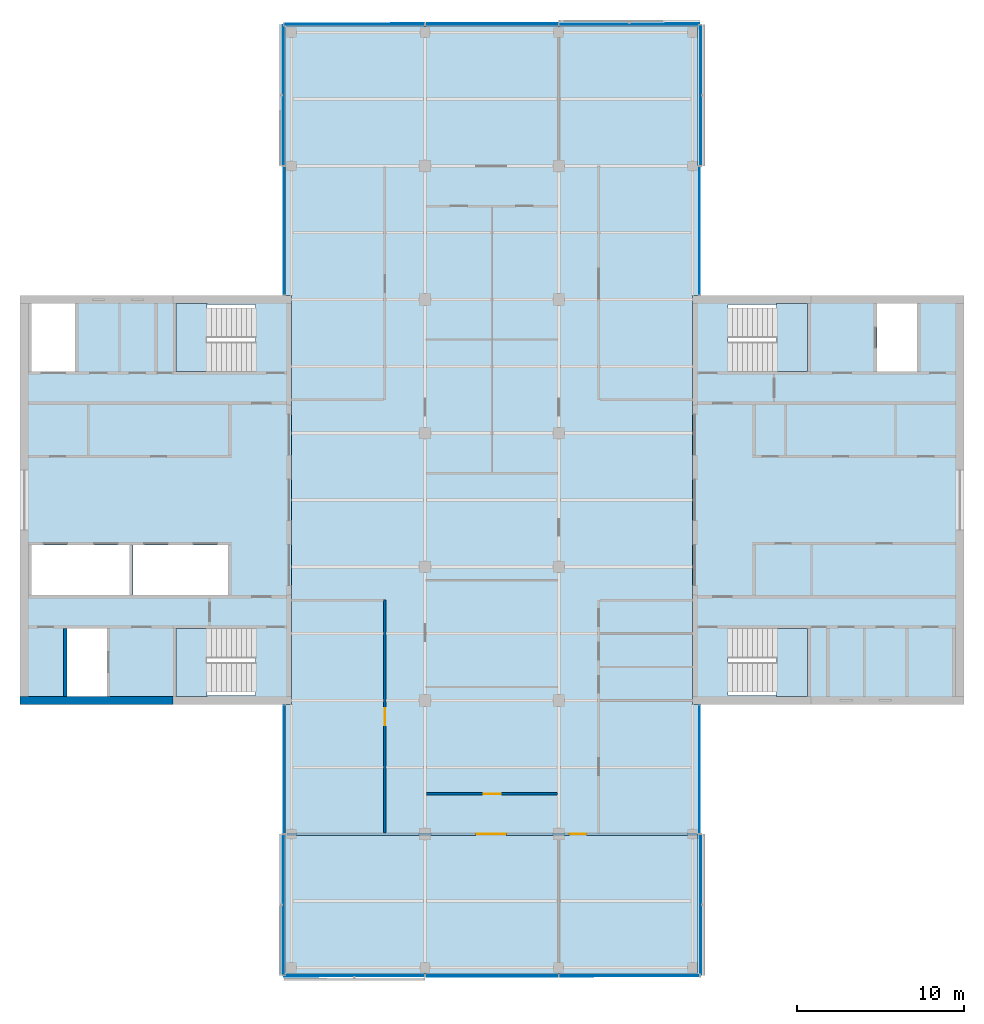
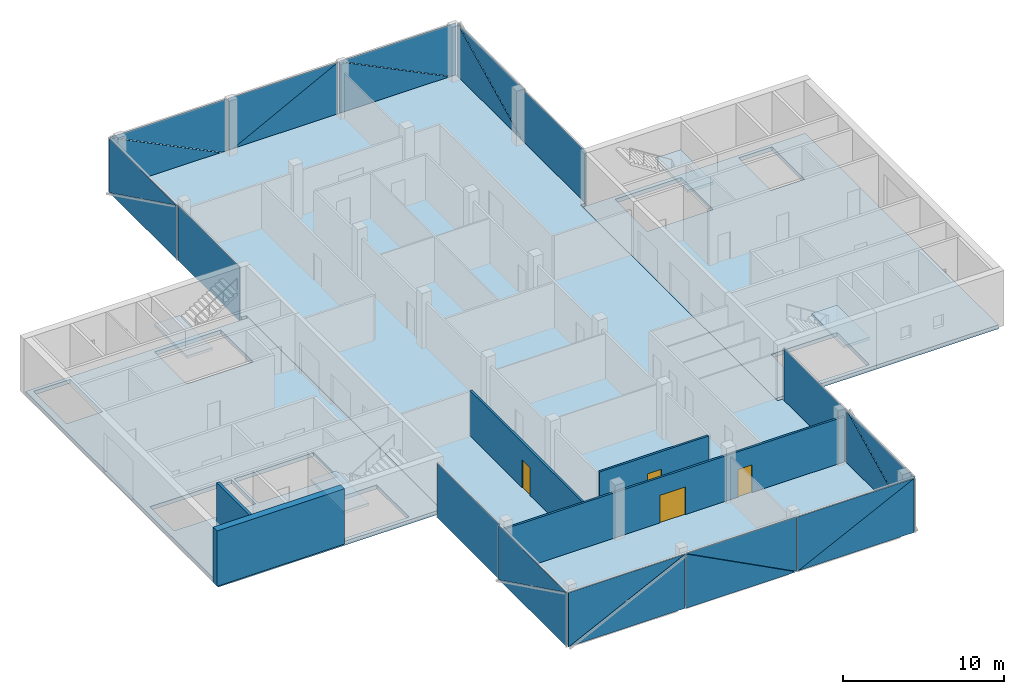
# One storey, part 8 of 15: 24 plates, 7 slabs, 5 walls, 4 doors, 4 openings, 14 elements without a shape of their own.
"""IFC4 building model written with IfcOpenShell, lengths in metres."""

from ifc_helpers import new_model, si_unit, direction, frame, frame_2d, origin, place, context, subcontext, project, spatial, polyline, rectangle, outline, extrude, material, layer, layer_set, constituent, constituent_set, type_object, element, fill, aggregate, save


model = new_model("IFC4")

# Units and contexts
model_context = context("Model", 3, precision=1e-05, world=origin(), true_north=direction((0.0, 1.0)))
body_context = subcontext(model_context, "Body", "Model", "MODEL_VIEW")
ifc_project = project(units=[si_unit("LENGTHUNIT", "METRE"), si_unit("AREAUNIT", "SQUARE_METRE"), si_unit("VOLUMEUNIT", "CUBIC_METRE"), si_unit("PLANEANGLEUNIT", "RADIAN"), si_unit("MASSUNIT", "GRAM", prefix="KILO")], contexts=[model_context])

# Site, building, storey
site_placement = place(None, origin())
site = spatial("IfcSite", under=ifc_project, at=site_placement, CompositionType="ELEMENT")
building_placement = place(site_placement, origin())
building = spatial("IfcBuilding", under=site, at=building_placement, Name="Crosswind Convention Tower", CompositionType="ELEMENT")
storey_placement = place(building_placement, frame((0.0, 0.0, 266.10009765625)))
storey = spatial("IfcBuildingStorey", under=building, at=storey_placement, Name="L57", CompositionType="ELEMENT", Elevation=266.10009765625)

# Slabs
ifc_material_1 = material(Name="Concrete C40/50", Category="concrete")
ifc_layer_1 = layer(ifc_material_1, 0.300048828125)
ifc_layer_set_1 = layer_set([ifc_layer_1], Name="Concrete C40/50")
slab_type_1 = type_object("IfcSlabType", Name="Composite floor slab 300", PredefinedType="FLOOR", material=ifc_layer_set_1)
slab_1_placement = place(storey_placement, frame((0.0, 0.0, -0.300048828125)))
element("IfcSlab", 1, at=slab_1_placement, inside=storey, type_object=slab_type_1, Name="Floor slab L57", PredefinedType="FLOOR", context=body_context, shape_type="SweptSolid", body=[
    extrude(outline(polyline([(137.35009765625, 71.64990234375), (137.0, 71.64990234375), (113.0, 71.64990234375), (112.64990234375, 71.64990234375), (112.64990234375, 72.0), (112.64990234375, 87.75), (113.0, 87.75), (113.0, 112.25), (112.64990234375, 112.25), (112.64990234375, 128.0), (112.64990234375, 128.35009765625), (113.0, 128.35009765625), (137.0, 128.35009765625), (137.35009765625, 128.35009765625), (137.35009765625, 128.0), (137.35009765625, 112.25), (137.0, 112.25), (137.0, 87.75), (137.35009765625, 87.75), (137.35009765625, 72.0), (137.35009765625, 71.64990234375)])), origin(), (0.0, 0.0, 1.0), 0.300048828125),
])
ifc_layer_2 = layer(ifc_material_1, 0.300048828125)
ifc_layer_set_2 = layer_set([ifc_layer_2], Name="Concrete C40/50")
slab_type_2 = type_object("IfcSlabType", Name="Concrete core floor slab 300", PredefinedType="FLOOR", material=ifc_layer_set_2)
slab_2_placement = place(storey_placement, frame((0.0, 0.0, -0.300048828125)))
element("IfcSlab", 2, at=slab_2_placement, inside=storey, type_object=slab_type_2, Name="Core floor slab E L57", PredefinedType="FLOOR", context=body_context, shape_type="SweptSolid", body=[
    extrude(outline(polyline([(137.0, 88.0), (153.0, 88.0), (153.0, 112.0), (137.0, 112.0), (137.0, 88.0)]), holes=[polyline([(150.449951171875, 107.699951171875), (150.449951171875, 111.75), (148.050048828125, 111.75), (148.050048828125, 107.699951171875), (150.449951171875, 107.699951171875)]), polyline([(143.89990234375, 107.699951171875), (143.89990234375, 111.699951171875), (139.14990234375, 111.699951171875), (139.14990234375, 107.699951171875), (143.89990234375, 107.699951171875)]), polyline([(143.89990234375, 88.300048828125), (143.89990234375, 92.300048828125), (139.14990234375, 92.300048828125), (139.14990234375, 88.300048828125), (143.89990234375, 88.300048828125)])]), origin(), (0.0, 0.0, 1.0), 0.300048828125),
])
slab_3_placement = place(storey_placement, frame((0.0, 0.0, -0.300048828125)))
element("IfcSlab", 3, at=slab_3_placement, inside=storey, type_object=slab_type_2, Name="Core floor slab W L57", PredefinedType="FLOOR", context=body_context, shape_type="SweptSolid", body=[
    extrude(outline(polyline([(97.0, 88.0), (113.0, 88.0), (113.0, 112.0), (97.0, 112.0), (97.0, 88.0)]), holes=[polyline([(109.199951171875, 94.300048828125), (109.199951171875, 97.300048828125), (103.5, 97.300048828125), (103.5, 94.300048828125), (109.199951171875, 94.300048828125)]), polyline([(103.300048828125, 94.300048828125), (103.300048828125, 97.300048828125), (97.449951171875, 97.300048828125), (97.449951171875, 94.300048828125), (103.300048828125, 94.300048828125)]), polyline([(101.949951171875, 88.25), (101.949951171875, 92.300048828125), (99.550048828125, 92.300048828125), (99.550048828125, 88.25), (101.949951171875, 88.25)]), polyline([(100.050048828125, 107.699951171875), (100.050048828125, 111.75), (97.449951171875, 111.75), (97.449951171875, 107.699951171875), (100.050048828125, 107.699951171875)]), polyline([(110.85009765625, 88.300048828125), (110.85009765625, 92.300048828125), (106.10009765625, 92.300048828125), (106.10009765625, 88.300048828125), (110.85009765625, 88.300048828125)]), polyline([(110.85009765625, 107.699951171875), (110.85009765625, 111.699951171875), (106.10009765625, 111.699951171875), (106.10009765625, 107.699951171875), (110.85009765625, 107.699951171875)])]), origin(), (0.0, 0.0, 1.0), 0.300048828125),
])

# Stair, slab
stair_type = type_object("IfcStairType", Name="Exit stair 1800 wide, 2 flights of 11 risers", PredefinedType="HALF_TURN_STAIR", material=ifc_material_1)
stair_1_placement = place(storey_placement, origin())
stair_1 = element("IfcStair", 4, at=stair_1_placement, inside=storey, type_object=stair_type, Name="Exit stair ST1 L57", ObjectType="ST5", PredefinedType="HALF_TURN_STAIR")
ifc_layer_3 = layer(ifc_material_1, 0.199951171875)
ifc_layer_set_3 = layer_set([ifc_layer_3], Name="Concrete C40/50")
slab_type_3 = type_object("IfcSlabType", Name="Stair landing 200", PredefinedType="LANDING", material=ifc_layer_set_3)
slab_4_placement = place(storey_placement, frame((0.0, 0.0, 1.89990234375)))
slab_4 = element("IfcSlab", 5, at=slab_4_placement, type_object=slab_type_3, Name="ST1 landing 1", PredefinedType="LANDING", context=body_context, shape_type="SweptSolid", body=[
    extrude(outline(polyline([(143.89990234375, 107.699951171875), (143.89990234375, 111.75), (142.050048828125, 111.75), (142.050048828125, 107.699951171875), (143.89990234375, 107.699951171875)])), origin(), (0.0, 0.0, 1.0), 0.199951171875),
])
aggregate(stair_1, [slab_4])

stair_2_placement = place(storey_placement, origin())
stair_2 = element("IfcStair", 6, at=stair_2_placement, inside=storey, type_object=stair_type, Name="Exit stair ST2 L57", ObjectType="ST5", PredefinedType="HALF_TURN_STAIR")
slab_5_placement = place(storey_placement, frame((0.0, 0.0, 1.89990234375)))
slab_5 = element("IfcSlab", 7, at=slab_5_placement, type_object=slab_type_3, Name="ST2 landing 1", PredefinedType="LANDING", context=body_context, shape_type="SweptSolid", body=[
    extrude(outline(polyline([(143.89990234375, 88.25), (143.89990234375, 92.300048828125), (142.050048828125, 92.300048828125), (142.050048828125, 88.25), (143.89990234375, 88.25)])), origin(), (0.0, 0.0, 1.0), 0.199951171875),
])
aggregate(stair_2, [slab_5])

stair_3_placement = place(storey_placement, origin())
stair_3 = element("IfcStair", 8, at=stair_3_placement, inside=storey, type_object=stair_type, Name="Exit stair ST3 L57", ObjectType="ST5", PredefinedType="HALF_TURN_STAIR")
slab_6_placement = place(storey_placement, frame((0.0, 0.0, 1.89990234375)))
slab_6 = element("IfcSlab", 9, at=slab_6_placement, type_object=slab_type_3, Name="ST3 landing 1", PredefinedType="LANDING", context=body_context, shape_type="SweptSolid", body=[
    extrude(outline(polyline([(107.949951171875, 88.25), (107.949951171875, 92.300048828125), (106.10009765625, 92.300048828125), (106.10009765625, 88.25), (107.949951171875, 88.25)])), origin(), (0.0, 0.0, 1.0), 0.199951171875),
])
aggregate(stair_3, [slab_6])

stair_4_placement = place(storey_placement, origin())
stair_4 = element("IfcStair", 10, at=stair_4_placement, inside=storey, type_object=stair_type, Name="Exit stair ST4 L57", ObjectType="ST5", PredefinedType="HALF_TURN_STAIR")
slab_7_placement = place(storey_placement, frame((0.0, 0.0, 1.89990234375)))
slab_7 = element("IfcSlab", 11, at=slab_7_placement, type_object=slab_type_3, Name="ST4 landing 1", PredefinedType="LANDING", context=body_context, shape_type="SweptSolid", body=[
    extrude(outline(polyline([(107.949951171875, 107.699951171875), (107.949951171875, 111.75), (106.10009765625, 111.75), (106.10009765625, 107.699951171875), (107.949951171875, 107.699951171875)])), origin(), (0.0, 0.0, 1.0), 0.199951171875),
])
aggregate(stair_4, [slab_7])

# Curtain wall, plate
ifc_material_2 = material(Name="Aluminium unitised curtain wall", Category="aluminium")
curtain_wall_type_1 = type_object("IfcCurtainWallType", Name="CORE END SLOT WALL 160", PredefinedType="USERDEFINED", material=ifc_material_2)
curtain_wall_1_placement = place(storey_placement, origin())
curtain_wall_1 = element("IfcCurtainWall", 12, at=curtain_wall_1_placement, inside=storey, type_object=curtain_wall_type_1, Name="CW6 L57 N-E.1-1 slot", ObjectType="UNITISED", PredefinedType="USERDEFINED")
ifc_material_3 = material(Name="Laminated insulating glass unit", Category="glass")
ifc_layer_4 = layer(ifc_material_3, 0.02587890625)
ifc_layer_set_4 = layer_set([ifc_layer_4], Name="TRIANGULAR GLASS PANEL 26")
plate_type_1 = type_object("IfcPlateType", Name="TRIANGULAR GLASS PANEL 26", PredefinedType="CURTAIN_PANEL", material=ifc_layer_set_4)
plate_1_placement = place(storey_placement, frame((137.456787109375, 112.300048828125, -0.300048828125), z_axis=(0.999999915205, 0.0, 0.00041181312), x_axis=(0.0, 1.0, 0.0)))
plate_1 = element("IfcPlate", 13, at=plate_1_placement, type_object=plate_type_1, Name="CW6 panel 1.1", PredefinedType="CURTAIN_PANEL", context=body_context, shape_type="SweptSolid", body=[
    extrude(outline(polyline([(0.0, 0.0), (7.64990234375, 0.0), (7.64990234375, 4.149902695641108), (0.0, 4.149902695641108), (0.0, 0.0)])), origin(), (0.0, 0.0, -1.0), 0.02587890625),
])
aggregate(curtain_wall_1, [plate_1])

curtain_wall_2_placement = place(storey_placement, origin())
curtain_wall_2 = element("IfcCurtainWall", 14, at=curtain_wall_2_placement, inside=storey, type_object=curtain_wall_type_1, Name="CW6 L57 N-W.1-2 slot", ObjectType="UNITISED", PredefinedType="USERDEFINED")
plate_2_placement = place(storey_placement, frame((112.543212890625, 119.949951171875, -0.300048828125), z_axis=(-0.999999915205, 0.0, 0.00041181312), x_axis=(0.0, -1.0, 0.0)))
plate_2 = element("IfcPlate", 15, at=plate_2_placement, type_object=plate_type_1, Name="CW6 panel 1.1", PredefinedType="CURTAIN_PANEL", context=body_context, shape_type="SweptSolid", body=[
    extrude(outline(polyline([(0.0, 0.0), (7.64990234375, 0.0), (7.64990234375, 4.149902695641108), (0.0, 4.149902695641108), (0.0, 0.0)])), origin(), (0.0, 0.0, -1.0), 0.02587890625),
])
aggregate(curtain_wall_2, [plate_2])

curtain_wall_3_placement = place(storey_placement, origin())
curtain_wall_3 = element("IfcCurtainWall", 16, at=curtain_wall_3_placement, inside=storey, type_object=curtain_wall_type_1, Name="CW6 L57 S-W.1-1 slot", ObjectType="UNITISED", PredefinedType="USERDEFINED")
plate_3_placement = place(storey_placement, frame((112.543212890625, 87.699951171875, -0.300048828125), z_axis=(-0.999999915205, 0.0, 0.00041181312), x_axis=(0.0, -1.0, 0.0)))
plate_3 = element("IfcPlate", 17, at=plate_3_placement, type_object=plate_type_1, Name="CW6 panel 1.1", PredefinedType="CURTAIN_PANEL", context=body_context, shape_type="SweptSolid", body=[
    extrude(outline(polyline([(0.0, 0.0), (7.64990234375, 0.0), (7.64990234375, 4.149902695641108), (0.0, 4.149902695641108), (0.0, 0.0)])), origin(), (0.0, 0.0, -1.0), 0.02587890625),
])
aggregate(curtain_wall_3, [plate_3])

curtain_wall_4_placement = place(storey_placement, origin())
curtain_wall_4 = element("IfcCurtainWall", 18, at=curtain_wall_4_placement, inside=storey, type_object=curtain_wall_type_1, Name="CW6 L57 S-E.1-2 slot", ObjectType="UNITISED", PredefinedType="USERDEFINED")
plate_4_placement = place(storey_placement, frame((137.456787109375, 80.050048828125, -0.300048828125), z_axis=(0.999999915205, 0.0, 0.00041181312), x_axis=(0.0, 1.0, 0.0)))
plate_4 = element("IfcPlate", 19, at=plate_4_placement, type_object=plate_type_1, Name="CW6 panel 1.1", PredefinedType="CURTAIN_PANEL", context=body_context, shape_type="SweptSolid", body=[
    extrude(outline(polyline([(0.0, 0.0), (7.64990234375, 0.0), (7.64990234375, 4.149902695641108), (0.0, 4.149902695641108), (0.0, 0.0)])), origin(), (0.0, 0.0, -1.0), 0.02587890625),
])
aggregate(curtain_wall_4, [plate_4])

# Curtain wall, plates
curtain_wall_type_2 = type_object("IfcCurtainWallType", Name="OFFICE UNITISED WALL 220", PredefinedType="USERDEFINED", material=ifc_material_2)
curtain_wall_5_placement = place(storey_placement, origin())
curtain_wall_5 = element("IfcCurtainWall", 20, at=curtain_wall_5_placement, inside=storey, type_object=curtain_wall_type_2, Name="CW3 L57 N-E 1", ObjectType="UNITISED", PredefinedType="USERDEFINED")
ifc_layer_5 = layer(ifc_material_3, 0.031982421875)
ifc_layer_set_5 = layer_set([ifc_layer_5], Name="TRIANGULAR GLASS PANEL 32")
plate_type_2 = type_object("IfcPlateType", Name="TRIANGULAR GLASS PANEL 32", PredefinedType="CURTAIN_PANEL", material=ifc_layer_set_5)
plate_5_placement = place(storey_placement, frame((137.492919921875, 128.425048828125, -0.300048828125), z_axis=(0.999999913924, 0.0, 0.000414913129), x_axis=(-0.000414913129, 0.0, 0.999999913924)))
plate_5 = element("IfcPlate", 21, at=plate_5_placement, type_object=plate_type_2, Name="CW3 panel 1.1", PredefinedType="CURTAIN_PANEL", context=body_context, shape_type="SweptSolid", body=[
    extrude(outline(polyline([(0.0, 0.0), (4.118896838915043, 0.0), (0.0, 8.367431640625), (0.0, 0.0)])), origin(), (0.0, 0.0, -1.0), 0.031982421875),
])
plate_6_placement = place(storey_placement, frame((137.525146484375, 120.034912109375, 3.829833984375), z_axis=(0.999999913924, 0.0, 0.000414913129), x_axis=(0.000414913129, 0.0, -0.999999913924)))
plate_6 = element("IfcPlate", 22, at=plate_6_placement, type_object=plate_type_2, Name="CW3 panel 1.2", PredefinedType="CURTAIN_PANEL", context=body_context, shape_type="SweptSolid", body=[
    extrude(outline(polyline([(0.0, 0.0), (4.118896838915043, 0.0), (0.0, 8.367431640625), (0.0, 0.0)])), origin(), (0.0, 0.0, -1.0), 0.031982421875),
])
aggregate(curtain_wall_5, [plate_5, plate_6])

curtain_wall_6_placement = place(storey_placement, origin())
curtain_wall_6 = element("IfcCurtainWall", 23, at=curtain_wall_6_placement, inside=storey, type_object=curtain_wall_type_2, Name="CW3 L57 N-TIP 1", ObjectType="UNITISED", PredefinedType="USERDEFINED")
plate_7_placement = place(storey_placement, frame((129.034912109375, 128.492919921875, -0.300048828125), z_axis=(0.0, 0.999999913924, 0.000414913129), x_axis=(0.0, -0.000414913129, 0.999999913924)))
plate_7 = element("IfcPlate", 24, at=plate_7_placement, type_object=plate_type_2, Name="CW3 panel 1.1", PredefinedType="CURTAIN_PANEL", context=body_context, shape_type="SweptSolid", body=[
    extrude(outline(polyline([(0.0, 0.0), (4.118896838915043, 0.0), (0.0, 8.367431640625), (0.0, 0.0)])), origin(), (0.0, 0.0, -1.0), 0.031982421875),
])
plate_8_placement = place(storey_placement, frame((137.425048828125, 128.525146484375, 3.829833984375), z_axis=(0.0, 0.999999913924, 0.000414913129), x_axis=(0.0, 0.000414913129, -0.999999913924)))
plate_8 = element("IfcPlate", 25, at=plate_8_placement, type_object=plate_type_2, Name="CW3 panel 1.2", PredefinedType="CURTAIN_PANEL", context=body_context, shape_type="SweptSolid", body=[
    extrude(outline(polyline([(0.0, 0.0), (4.118896838915043, 0.0), (0.0, 8.367431640625), (0.0, 0.0)])), origin(), (0.0, 0.0, -1.0), 0.031982421875),
])
plate_9_placement = place(storey_placement, frame((121.034912109375, 128.4912109375, 3.829833984375), z_axis=(0.0, 0.999999913913, 0.000414937724), x_axis=(1.0, 0.0, 0.0)))
plate_9 = element("IfcPlate", 26, at=plate_9_placement, type_object=plate_type_2, Name="CW3 panel 2.1", PredefinedType="CURTAIN_PANEL", context=body_context, shape_type="SweptSolid", body=[
    extrude(outline(polyline([(0.0, 0.0), (7.908447265625, 0.0), (0.0, 4.118652698311059), (0.0, 0.0)])), origin(), (0.0, 0.0, -1.0), 0.031982421875),
])
plate_10_placement = place(storey_placement, frame((128.965087890625, 128.52685546875, -0.300048828125), z_axis=(0.0, 0.999999913913, 0.000414937724), x_axis=(-1.0, 0.0, 0.0)))
plate_10 = element("IfcPlate", 27, at=plate_10_placement, type_object=plate_type_2, Name="CW3 panel 2.2", PredefinedType="CURTAIN_PANEL", context=body_context, shape_type="SweptSolid", body=[
    extrude(outline(polyline([(0.0, 0.0), (7.908447265625, 0.0), (0.0, 4.118652698311059), (0.0, 0.0)])), origin(), (0.0, 0.0, -1.0), 0.031982421875),
])
plate_11_placement = place(storey_placement, frame((112.574951171875, 128.492919921875, -0.300048828125), z_axis=(0.0, 0.999999913924, 0.000414913129), x_axis=(0.0, -0.000414913129, 0.999999913924)))
plate_11 = element("IfcPlate", 28, at=plate_11_placement, type_object=plate_type_2, Name="CW3 panel 3.1", PredefinedType="CURTAIN_PANEL", context=body_context, shape_type="SweptSolid", body=[
    extrude(outline(polyline([(0.0, 0.0), (4.118896838915043, 0.0), (0.0, 8.367431640625), (0.0, 0.0)])), origin(), (0.0, 0.0, -1.0), 0.031982421875),
])
plate_12_placement = place(storey_placement, frame((120.965087890625, 128.525146484375, 3.829833984375), z_axis=(0.0, 0.999999913924, 0.000414913129), x_axis=(0.0, 0.000414913129, -0.999999913924)))
plate_12 = element("IfcPlate", 29, at=plate_12_placement, type_object=plate_type_2, Name="CW3 panel 3.2", PredefinedType="CURTAIN_PANEL", context=body_context, shape_type="SweptSolid", body=[
    extrude(outline(polyline([(0.0, 0.0), (4.118896838915043, 0.0), (0.0, 8.367431640625), (0.0, 0.0)])), origin(), (0.0, 0.0, -1.0), 0.031982421875),
])
aggregate(curtain_wall_6, [plate_7, plate_8, plate_9, plate_10, plate_11, plate_12])

curtain_wall_7_placement = place(storey_placement, origin())
curtain_wall_7 = element("IfcCurtainWall", 30, at=curtain_wall_7_placement, inside=storey, type_object=curtain_wall_type_2, Name="CW3 L57 N-W 1", ObjectType="UNITISED", PredefinedType="USERDEFINED")
plate_13_placement = place(storey_placement, frame((112.507080078125, 120.034912109375, -0.300048828125), z_axis=(-0.999999913924, 0.0, 0.000414913129), x_axis=(0.000414913129, 0.0, 0.999999913924)))
plate_13 = element("IfcPlate", 31, at=plate_13_placement, type_object=plate_type_2, Name="CW3 panel 1.1", PredefinedType="CURTAIN_PANEL", context=body_context, shape_type="SweptSolid", body=[
    extrude(outline(polyline([(0.0, 0.0), (4.118896838915043, 0.0), (0.0, 8.367431640625), (0.0, 0.0)])), origin(), (0.0, 0.0, -1.0), 0.031982421875),
])
plate_14_placement = place(storey_placement, frame((112.474853515625, 128.425048828125, 3.829833984375), z_axis=(-0.999999913924, 0.0, 0.000414913129), x_axis=(-0.000414913129, 0.0, -0.999999913924)))
plate_14 = element("IfcPlate", 32, at=plate_14_placement, type_object=plate_type_2, Name="CW3 panel 1.2", PredefinedType="CURTAIN_PANEL", context=body_context, shape_type="SweptSolid", body=[
    extrude(outline(polyline([(0.0, 0.0), (4.118896838915043, 0.0), (0.0, 8.367431640625), (0.0, 0.0)])), origin(), (0.0, 0.0, -1.0), 0.031982421875),
])
aggregate(curtain_wall_7, [plate_13, plate_14])

curtain_wall_8_placement = place(storey_placement, origin())
curtain_wall_8 = element("IfcCurtainWall", 33, at=curtain_wall_8_placement, inside=storey, type_object=curtain_wall_type_2, Name="CW3 L57 S-W 1", ObjectType="UNITISED", PredefinedType="USERDEFINED")
plate_15_placement = place(storey_placement, frame((112.507080078125, 71.574951171875, -0.300048828125), z_axis=(-0.999999913924, 0.0, 0.000414913129), x_axis=(0.000414913129, 0.0, 0.999999913924)))
plate_15 = element("IfcPlate", 34, at=plate_15_placement, type_object=plate_type_2, Name="CW3 panel 1.1", PredefinedType="CURTAIN_PANEL", context=body_context, shape_type="SweptSolid", body=[
    extrude(outline(polyline([(0.0, 0.0), (4.118896838915043, 0.0), (0.0, 8.367431640625), (0.0, 0.0)])), origin(), (0.0, 0.0, -1.0), 0.031982421875),
])
plate_16_placement = place(storey_placement, frame((112.474853515625, 79.965087890625, 3.829833984375), z_axis=(-0.999999913924, 0.0, 0.000414913129), x_axis=(-0.000414913129, 0.0, -0.999999913924)))
plate_16 = element("IfcPlate", 35, at=plate_16_placement, type_object=plate_type_2, Name="CW3 panel 1.2", PredefinedType="CURTAIN_PANEL", context=body_context, shape_type="SweptSolid", body=[
    extrude(outline(polyline([(0.0, 0.0), (4.118896838915043, 0.0), (0.0, 8.367431640625), (0.0, 0.0)])), origin(), (0.0, 0.0, -1.0), 0.031982421875),
])
aggregate(curtain_wall_8, [plate_15, plate_16])

curtain_wall_9_placement = place(storey_placement, origin())
curtain_wall_9 = element("IfcCurtainWall", 36, at=curtain_wall_9_placement, inside=storey, type_object=curtain_wall_type_2, Name="CW3 L57 S-TIP 1", ObjectType="UNITISED", PredefinedType="USERDEFINED")
plate_17_placement = place(storey_placement, frame((120.965087890625, 71.507080078125, -0.300048828125), z_axis=(0.0, -0.999999913924, 0.000414913129), x_axis=(0.0, 0.000414913129, 0.999999913924)))
plate_17 = element("IfcPlate", 37, at=plate_17_placement, type_object=plate_type_2, Name="CW3 panel 1.1", PredefinedType="CURTAIN_PANEL", context=body_context, shape_type="SweptSolid", body=[
    extrude(outline(polyline([(0.0, 0.0), (4.118896838915043, 0.0), (0.0, 8.367431640625), (0.0, 0.0)])), origin(), (0.0, 0.0, -1.0), 0.031982421875),
])
plate_18_placement = place(storey_placement, frame((112.574951171875, 71.474853515625, 3.829833984375), z_axis=(0.0, -0.999999913924, 0.000414913129), x_axis=(0.0, -0.000414913129, -0.999999913924)))
plate_18 = element("IfcPlate", 38, at=plate_18_placement, type_object=plate_type_2, Name="CW3 panel 1.2", PredefinedType="CURTAIN_PANEL", context=body_context, shape_type="SweptSolid", body=[
    extrude(outline(polyline([(0.0, 0.0), (4.118896838915043, 0.0), (0.0, 8.367431640625), (0.0, 0.0)])), origin(), (0.0, 0.0, -1.0), 0.031982421875),
])
plate_19_placement = place(storey_placement, frame((128.965087890625, 71.5087890625, 3.829833984375), z_axis=(0.0, -0.999999913913, 0.000414937724), x_axis=(-1.0, 0.0, 0.0)))
plate_19 = element("IfcPlate", 39, at=plate_19_placement, type_object=plate_type_2, Name="CW3 panel 2.1", PredefinedType="CURTAIN_PANEL", context=body_context, shape_type="SweptSolid", body=[
    extrude(outline(polyline([(0.0, 0.0), (7.908447265625, 0.0), (0.0, 4.118652698311059), (0.0, 0.0)])), origin(), (0.0, 0.0, -1.0), 0.031982421875),
])
plate_20_placement = place(storey_placement, frame((121.034912109375, 71.47314453125, -0.300048828125), z_axis=(0.0, -0.999999913913, 0.000414937724), x_axis=(1.0, 0.0, 0.0)))
plate_20 = element("IfcPlate", 40, at=plate_20_placement, type_object=plate_type_2, Name="CW3 panel 2.2", PredefinedType="CURTAIN_PANEL", context=body_context, shape_type="SweptSolid", body=[
    extrude(outline(polyline([(0.0, 0.0), (7.908447265625, 0.0), (0.0, 4.118652698311059), (0.0, 0.0)])), origin(), (0.0, 0.0, -1.0), 0.031982421875),
])
plate_21_placement = place(storey_placement, frame((137.425048828125, 71.507080078125, -0.300048828125), z_axis=(0.0, -0.999999913924, 0.000414913129), x_axis=(0.0, 0.000414913129, 0.999999913924)))
plate_21 = element("IfcPlate", 41, at=plate_21_placement, type_object=plate_type_2, Name="CW3 panel 3.1", PredefinedType="CURTAIN_PANEL", context=body_context, shape_type="SweptSolid", body=[
    extrude(outline(polyline([(0.0, 0.0), (4.118896838915043, 0.0), (0.0, 8.367431640625), (0.0, 0.0)])), origin(), (0.0, 0.0, -1.0), 0.031982421875),
])
plate_22_placement = place(storey_placement, frame((129.034912109375, 71.474853515625, 3.829833984375), z_axis=(0.0, -0.999999913924, 0.000414913129), x_axis=(0.0, -0.000414913129, -0.999999913924)))
plate_22 = element("IfcPlate", 42, at=plate_22_placement, type_object=plate_type_2, Name="CW3 panel 3.2", PredefinedType="CURTAIN_PANEL", context=body_context, shape_type="SweptSolid", body=[
    extrude(outline(polyline([(0.0, 0.0), (4.118896838915043, 0.0), (0.0, 8.367431640625), (0.0, 0.0)])), origin(), (0.0, 0.0, -1.0), 0.031982421875),
])
aggregate(curtain_wall_9, [plate_17, plate_18, plate_19, plate_20, plate_21, plate_22])

curtain_wall_10_placement = place(storey_placement, origin())
curtain_wall_10 = element("IfcCurtainWall", 43, at=curtain_wall_10_placement, inside=storey, type_object=curtain_wall_type_2, Name="CW3 L57 S-E 1", ObjectType="UNITISED", PredefinedType="USERDEFINED")
plate_23_placement = place(storey_placement, frame((137.492919921875, 79.965087890625, -0.300048828125), z_axis=(0.999999913924, 0.0, 0.000414913129), x_axis=(-0.000414913129, 0.0, 0.999999913924)))
plate_23 = element("IfcPlate", 44, at=plate_23_placement, type_object=plate_type_2, Name="CW3 panel 1.1", PredefinedType="CURTAIN_PANEL", context=body_context, shape_type="SweptSolid", body=[
    extrude(outline(polyline([(0.0, 0.0), (4.118896838915043, 0.0), (0.0, 8.367431640625), (0.0, 0.0)])), origin(), (0.0, 0.0, -1.0), 0.031982421875),
])
plate_24_placement = place(storey_placement, frame((137.525146484375, 71.574951171875, 3.829833984375), z_axis=(0.999999913924, 0.0, 0.000414913129), x_axis=(0.000414913129, 0.0, -0.999999913924)))
plate_24 = element("IfcPlate", 45, at=plate_24_placement, type_object=plate_type_2, Name="CW3 panel 1.2", PredefinedType="CURTAIN_PANEL", context=body_context, shape_type="SweptSolid", body=[
    extrude(outline(polyline([(0.0, 0.0), (4.118896838915043, 0.0), (0.0, 8.367431640625), (0.0, 0.0)])), origin(), (0.0, 0.0, -1.0), 0.031982421875),
])
aggregate(curtain_wall_10, [plate_23, plate_24])

# Wall
ifc_material_4 = material(Name="Concrete C50/60", Category="concrete")
ifc_layer_6 = layer(ifc_material_4, 0.199951171875)
ifc_layer_set_6 = layer_set([ifc_layer_6], Name="Concrete C50/60")
wall_type_1 = type_object("IfcWallType", Name="Concrete shaft and stair wall 200", PredefinedType="SHEAR", material=ifc_layer_set_6)
wall_1_placement = place(storey_placement, frame((99.449951171875, 92.300048828125, 0.0), z_axis=(0.0, 0.0, 1.0), x_axis=(0.0, -1.0, 0.0)))
element("IfcWall", 46, at=wall_1_placement, inside=storey, type_object=wall_type_1, Name="Wall PFSE W L57", PredefinedType="SHEAR", context=body_context, shape_type="SweptSolid", body=[
    extrude(rectangle(XDim=4.050048828125, YDim=0.199951171875, at=frame_2d((2.02490234375, 0.0))), origin(), (0.0, 0.0, 1.0), 4.199951171875),
])

# Wall, opening, door
ifc_material_5 = material(Name="Fire-board partition with mineral wool", Category="gypsum")
ifc_layer_7 = layer(ifc_material_5, 0.14990234375)
ifc_layer_set_7 = layer_set([ifc_layer_7], Name="TENANCY WALL 150 TWO-HOUR BOARD")
wall_type_2 = type_object("IfcWallType", Name="TENANCY WALL 150 TWO-HOUR BOARD", PredefinedType="PARTITIONING", material=ifc_layer_set_7)
wall_2_placement = place(storey_placement, frame((118.60009765625, 80.074951171875, 0.0), z_axis=(0.0, 0.0, 1.0), x_axis=(0.0, 1.0, 0.0)))
wall_2 = element("IfcWall", 47, at=wall_2_placement, inside=storey, type_object=wall_type_2, Name="Tenancy wall WT41", PredefinedType="PARTITIONING", context=body_context, shape_type="SweptSolid", body=[
    extrude(rectangle(XDim=13.925048828125, YDim=0.14990234375, at=frame_2d((6.96240234375, 0.0))), origin(), (0.0, 0.0, 1.0), 3.442626953125),
])
opening_1_placement = place(wall_2_placement, frame((6.449951171875, 0.0, 0.0)))
opening_1 = element("IfcOpeningElement", 48, at=opening_1_placement, cuts=wall_2, Name="Opening L57-56", PredefinedType="OPENING", context=body_context, shape_type="SweptSolid", body=[
    extrude(rectangle(XDim=1.0, YDim=2.10009765625, at=frame_2d((0.5, 1.050048828125))), frame((0.0, 0.0849609375, 0.0), z_axis=(0.0, -1.0, 0.0), x_axis=(1.0, 0.0, 0.0)), (0.0, 0.0, 1.0), 0.169921875),
])
ifc_material_6 = material(Name="Timber fire door", Category="wood")
door_type_1 = type_object("IfcDoorType", Name="TENANCY ENTRANCE DOOR 1000X2100 FD30S", OperationType="NOTDEFINED", PredefinedType="DOOR", material=ifc_material_6)
door_1_placement = place(opening_1_placement, origin())
door_1 = element("IfcDoor", 49, at=door_1_placement, inside=storey, type_object=door_type_1, Name="Door L57-56", ObjectType="D41", OperationType="SINGLE_SWING_RIGHT", OverallHeight=2.10009765625, OverallWidth=1.0, PredefinedType="DOOR", context=body_context, shape_type="SweptSolid", body=[
    extrude(rectangle(XDim=1.0, YDim=2.10009765625, at=frame_2d((0.5, 1.050048828125))), frame((0.0, 0.02490234375, 0.0), z_axis=(0.0, -1.0, 0.0), x_axis=(1.0, 0.0, 0.0)), (0.0, 0.0, 1.0), 0.050048828125),
])
fill(opening_1, door_1)

# Wall, openings, doors
wall_3_placement = place(storey_placement, frame((112.72998046875, 80.0, 0.0), z_axis=(0.0, 0.0, 1.0), x_axis=(1.0, 0.0, 0.0)))
wall_3 = element("IfcWall", 50, at=wall_3_placement, inside=storey, type_object=wall_type_2, Name="Tenancy wall WT41", PredefinedType="PARTITIONING", context=body_context, shape_type="SweptSolid", body=[
    extrude(rectangle(XDim=24.5400390625, YDim=0.14990234375, at=frame_2d((12.27001953125, 0.0))), origin(), (0.0, 0.0, 1.0), 3.442626953125),
])
opening_2_placement = place(wall_3_placement, frame((11.320068359375, 0.0, 0.0)))
opening_2 = element("IfcOpeningElement", 51, at=opening_2_placement, cuts=wall_3, Name="Opening L57-58", PredefinedType="OPENING", context=body_context, shape_type="SweptSolid", body=[
    extrude(rectangle(XDim=1.800048828125, YDim=2.10009765625, at=frame_2d((0.89990234375, 1.050048828125))), frame((0.0, 0.0849609375, 0.0), z_axis=(0.0, -1.0, 0.0), x_axis=(1.0, 0.0, 0.0)), (0.0, 0.0, 1.0), 0.169921875),
])
opening_3_placement = place(wall_3_placement, frame((16.919921875, 0.0, 0.0)))
opening_3 = element("IfcOpeningElement", 52, at=opening_3_placement, cuts=wall_3, Name="Opening L57-59", PredefinedType="OPENING", context=body_context, shape_type="SweptSolid", body=[
    extrude(rectangle(XDim=1.0, YDim=2.10009765625, at=frame_2d((0.5, 1.050048828125))), frame((0.0, 0.0849609375, 0.0), z_axis=(0.0, -1.0, 0.0), x_axis=(1.0, 0.0, 0.0)), (0.0, 0.0, 1.0), 0.169921875),
])
door_2_placement = place(opening_3_placement, frame((1.0, 0.0, 0.0), z_axis=(0.0, 0.0, 1.0), x_axis=(-1.0, 0.0, 0.0)))
door_2 = element("IfcDoor", 53, at=door_2_placement, inside=storey, type_object=door_type_1, Name="Door L57-59", ObjectType="D41", OperationType="SINGLE_SWING_RIGHT", OverallHeight=2.10009765625, OverallWidth=1.0, PredefinedType="DOOR", context=body_context, shape_type="SweptSolid", body=[
    extrude(rectangle(XDim=1.0, YDim=2.10009765625, at=frame_2d((0.5, 1.050048828125))), frame((0.0, 0.02490234375, 0.0), z_axis=(0.0, -1.0, 0.0), x_axis=(1.0, 0.0, 0.0)), (0.0, 0.0, 1.0), 0.050048828125),
])
fill(opening_3, door_2)
door_type_2 = type_object("IfcDoorType", Name="TENANCY ENTRANCE DOUBLE DOOR 1800X2100 FD30S", OperationType="DOUBLE_DOOR_SINGLE_SWING", PredefinedType="DOOR", material=ifc_material_6)
door_3_placement = place(opening_2_placement, frame((1.800048828125, 0.0, 0.0), z_axis=(0.0, 0.0, 1.0), x_axis=(-1.0, 0.0, 0.0)))
door_3 = element("IfcDoor", 54, at=door_3_placement, inside=storey, type_object=door_type_2, Name="Door L57-58", ObjectType="D42", OperationType="DOUBLE_DOOR_SINGLE_SWING", OverallHeight=2.10009765625, OverallWidth=1.800048828125, PredefinedType="DOOR", context=body_context, shape_type="SweptSolid", body=[
    extrude(rectangle(XDim=1.800048828125, YDim=2.10009765625, at=frame_2d((0.89990234375, 1.050048828125))), frame((0.0, 0.02490234375, 0.0), z_axis=(0.0, -1.0, 0.0), x_axis=(1.0, 0.0, 0.0)), (0.0, 0.0, 1.0), 0.050048828125),
])
fill(opening_2, door_3)

# Wall, opening, door
wall_4_placement = place(storey_placement, frame((121.074951171875, 82.39990234375, 0.0), z_axis=(0.0, 0.0, 1.0), x_axis=(1.0, 0.0, 0.0)))
wall_4 = element("IfcWall", 55, at=wall_4_placement, inside=storey, type_object=wall_type_2, Name="Tenancy wall WT41", PredefinedType="PARTITIONING", context=body_context, shape_type="SweptSolid", body=[
    extrude(rectangle(XDim=7.85009765625, YDim=0.14990234375, at=frame_2d((3.925048828125, 0.0))), origin(), (0.0, 0.0, 1.0), 3.442626953125),
])
opening_4_placement = place(wall_4_placement, frame((3.449951171875, 0.0, 0.0)))
opening_4 = element("IfcOpeningElement", 56, at=opening_4_placement, cuts=wall_4, Name="Opening L57-60", PredefinedType="OPENING", context=body_context, shape_type="SweptSolid", body=[
    extrude(rectangle(XDim=1.0, YDim=2.10009765625, at=frame_2d((0.5, 1.050048828125))), frame((0.0, 0.0849609375, 0.0), z_axis=(0.0, -1.0, 0.0), x_axis=(1.0, 0.0, 0.0)), (0.0, 0.0, 1.0), 0.169921875),
])
door_4_placement = place(opening_4_placement, origin())
door_4 = element("IfcDoor", 57, at=door_4_placement, inside=storey, type_object=door_type_1, Name="Door L57-60", ObjectType="D41", OperationType="SINGLE_SWING_RIGHT", OverallHeight=2.10009765625, OverallWidth=1.0, PredefinedType="DOOR", context=body_context, shape_type="SweptSolid", body=[
    extrude(rectangle(XDim=1.0, YDim=2.10009765625, at=frame_2d((0.5, 1.050048828125))), frame((0.0, 0.02490234375, 0.0), z_axis=(0.0, -1.0, 0.0), x_axis=(1.0, 0.0, 0.0)), (0.0, 0.0, 1.0), 0.050048828125),
])
fill(opening_4, door_4)

# Wall
ifc_material_7 = material(Name="Concrete C60/75", Category="concrete")
ifc_constituent_1 = constituent(ifc_material_7, Name="Structure")
ifc_material_8 = material(Name="Terracotta rainscreen", Category="ceramic")
ifc_constituent_2 = constituent(ifc_material_8, Name="Facing")
ifc_constituent_set = constituent_set(constituents=[ifc_constituent_1, ifc_constituent_2], Name="Concrete C60/75, Terracotta rainscreen")
wall_type_3 = type_object("IfcWallType", Name="Terracotta rainscreen on concrete core wall 500", PredefinedType="SHEAR", material=ifc_constituent_set)
wall_5_placement = place(storey_placement, frame((105.89990234375, 88.0, 0.0), z_axis=(0.0, 0.0, 1.0), x_axis=(-1.0, 0.0, 0.0)))
element("IfcWall", 58, at=wall_5_placement, inside=storey, type_object=wall_type_3, Name="Wall N2 W L57", PredefinedType="SHEAR", context=body_context, shape_type="SweptSolid", body=[
    extrude(rectangle(XDim=9.14990234375, YDim=0.5, at=frame_2d((4.574951171875, 0.0))), origin(), (0.0, 0.0, 1.0), 4.199951171875),
])

save(model, "model.ifc")
